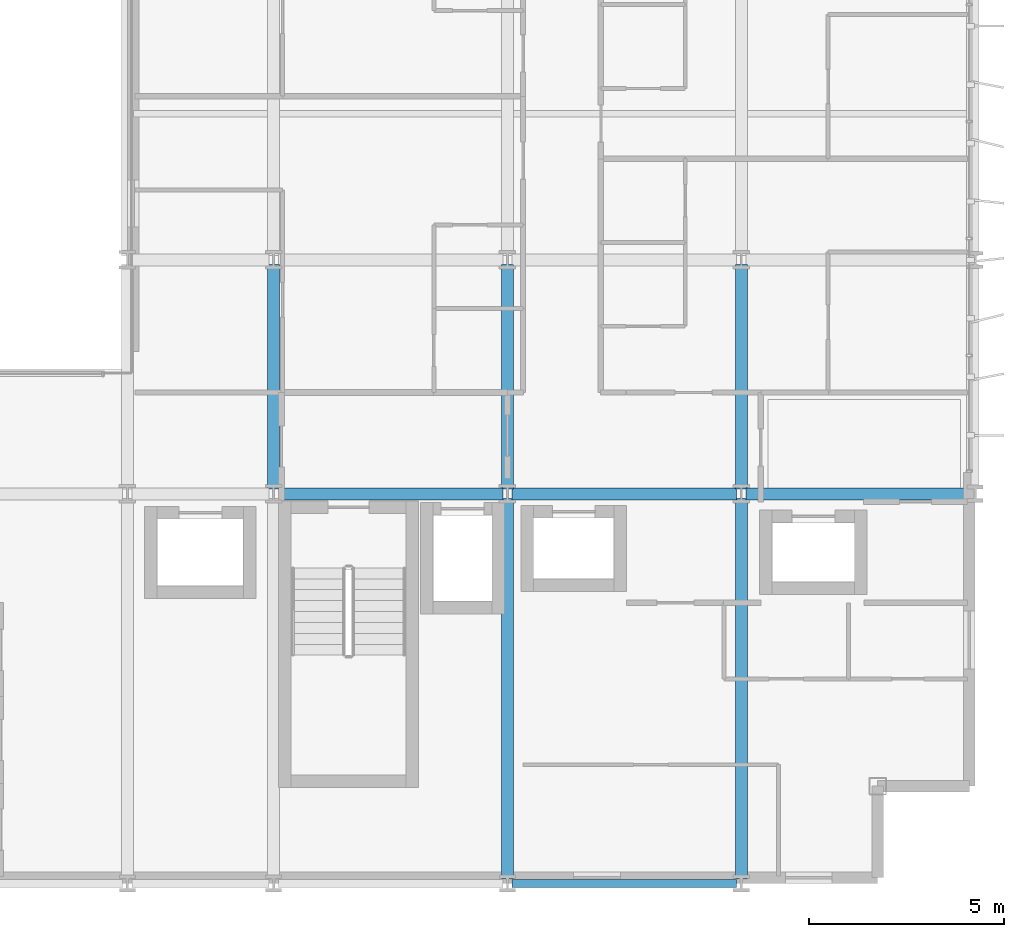
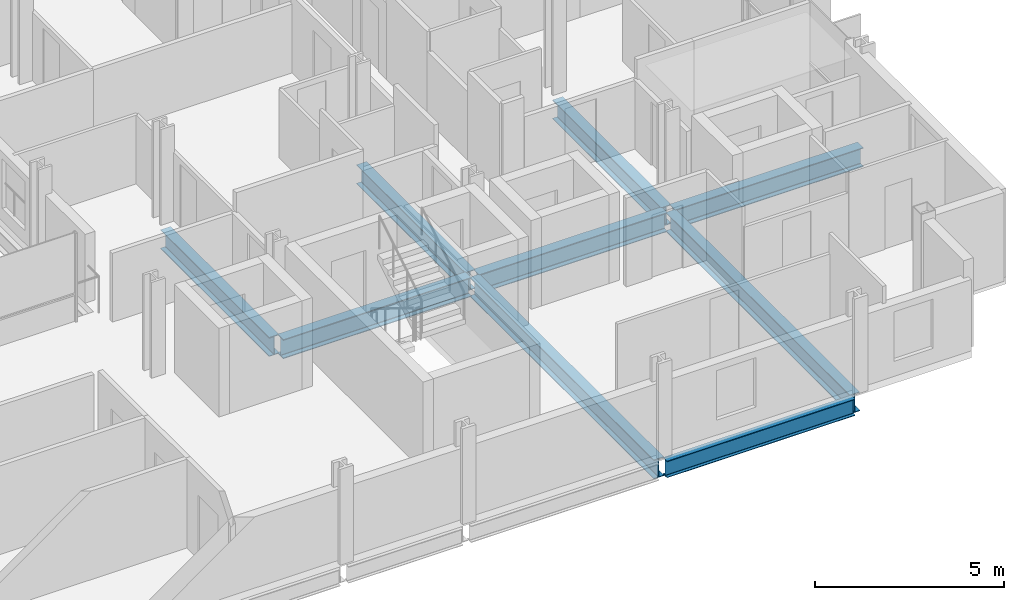
# One storey, part 14 of 39: 9 beams.
"""IFC4 building model written with IfcOpenShell, lengths in metres."""

import ifcopenshell
import ifcopenshell.guid

model = None  # the IFC model being written
_history = None  # IfcOwnerHistory: only IFC2X3 demands one
_inside = {}  # id of a spatial element -> (the spatial element, [elements in it])
_under = {}  # id of a project, library or spatial element -> (it, [spatial elements below it])
_declared = {}  # id of a project -> (the project, [libraries it declares])
_typed = {}  # id of a type object -> (the type object, [elements of that type])
_made_of = {}  # id of a material, layer set ... -> (it, [elements and type objects made of it])


def new_model(schema):
    """Start an empty IFC model of exactly this schema.

    Asked for "IFC4X3", IfcOpenShell would pick the latest addendum, in which some entities
    have other attributes; the version numbers below select the first issue.
    IFC2X3 requires an IfcOwnerHistory on every rooted entity: one is made here for all.
    """
    global model, _history
    if schema == "IFC4X3":
        model = ifcopenshell.file(schema_version=(4, 3, 0, 0))
    else:
        model = ifcopenshell.file(schema=schema)
    _inside.clear()
    _under.clear()
    _declared.clear()
    _typed.clear()
    _made_of.clear()
    _history = None
    if model.schema == "IFC2X3":
        org = make("IfcOrganization", Name="unknown")
        user = make(
            "IfcPersonAndOrganization",
            ThePerson=make("IfcPerson", FamilyName="unknown"),
            TheOrganization=org,
        )
        app = make(
            "IfcApplication",
            ApplicationDeveloper=org,
            Version="unknown",
            ApplicationFullName="unknown",
            ApplicationIdentifier="unknown",
        )
        _history = make(
            "IfcOwnerHistory",
            OwningUser=user,
            OwningApplication=app,
            ChangeAction="ADDED",
            CreationDate=0,
        )
    return model


def make(cls, **values):
    """One entity of the class cls with the attributes given. An attribute that is None is left unset."""
    return model.create_entity(
        cls, **{name: value for name, value in values.items() if value is not None}
    )


def rooted(cls, **values):
    """An entity with a GlobalId (a new one), such as an element, a storey or a relation."""
    return make(cls, GlobalId=ifcopenshell.guid.new(), OwnerHistory=_history, **values)


def si_unit(unit_type, name, prefix=None):
    """IfcSIUnit, for example si_unit("LENGTHUNIT", "METRE", prefix="MILLI")."""
    return make("IfcSIUnit", UnitType=unit_type, Prefix=prefix, Name=name)


def assignment(units):
    """IfcUnitAssignment: the units of a project."""
    return None if units is None else make("IfcUnitAssignment", Units=units)


def point(xyz):
    """IfcCartesianPoint."""
    return None if xyz is None else make("IfcCartesianPoint", Coordinates=xyz)


def direction(xyz):
    """IfcDirection."""
    return None if xyz is None else make("IfcDirection", DirectionRatios=xyz)


def frame(location, z_axis=None, x_axis=None):
    """IfcAxis2Placement3D, a coordinate frame: its origin and axes. An axis left out is left unset."""
    return make(
        "IfcAxis2Placement3D",
        Location=point(location),
        Axis=direction(z_axis),
        RefDirection=direction(x_axis),
    )


def frame_2d(location, x_axis=None):
    """IfcAxis2Placement2D, a coordinate frame in the plane: its origin and x axis."""
    return make(
        "IfcAxis2Placement2D", Location=point(location), RefDirection=direction(x_axis)
    )


def origin():
    """The frame at (0, 0, 0) with its axes left unset."""
    return frame((0.0, 0.0, 0.0))


def origin_2d():
    """The frame at (0, 0) in the plane with its x axis left unset."""
    return frame_2d((0.0, 0.0))


def place(relative_to, where):
    """IfcLocalPlacement: puts the frame where relative to a parent placement (None: the world)."""
    return make(
        "IfcLocalPlacement", PlacementRelTo=relative_to, RelativePlacement=where
    )


def context(
    kind, dimensions, precision=None, world=None, true_north=None, identifier=None
):
    """IfcGeometricRepresentationContext, for example the 3D "Model" context."""
    return make(
        "IfcGeometricRepresentationContext",
        ContextIdentifier=identifier,
        ContextType=kind,
        CoordinateSpaceDimension=dimensions,
        Precision=precision,
        WorldCoordinateSystem=world,
        TrueNorth=true_north,
    )


def subcontext(parent, identifier, kind, view, scale=None):
    """IfcGeometricRepresentationSubContext, for example "Body" below "Model"."""
    return make(
        "IfcGeometricRepresentationSubContext",
        ContextIdentifier=identifier,
        ContextType=kind,
        ParentContext=parent,
        TargetScale=scale,
        TargetView=view,
    )


def project(units=None, contexts=None):
    """IfcProject with its units and contexts."""
    return rooted(
        "IfcProject",
        Name="project",
        RepresentationContexts=contexts,
        UnitsInContext=assignment(units),
    )


def spatial(cls, under=None, at=None, **own):
    """A site, building, storey or space (cls), placed at a placement, below another one or the project."""
    s = rooted(cls, ObjectPlacement=at, **own)
    if under is not None:
        _under.setdefault(under.id(), (under, []))[1].append(s)
    return s


def profile(cls, at=None, kind="AREA", **sizes):
    """A parametric profile (cls). Its sizes go by their IFC names, for example OverallWidth=200.0."""
    return make(cls, ProfileType=kind, Position=at, **sizes)


def i_section(**sizes):
    """IfcIShapeProfileDef."""
    return profile("IfcIShapeProfileDef", **sizes)


def extrude(swept, where, along, depth):
    """IfcExtrudedAreaSolid: the profile swept, set in the frame where, extruded along a direction by depth."""
    return make(
        "IfcExtrudedAreaSolid",
        SweptArea=swept,
        Position=where,
        ExtrudedDirection=direction(along),
        Depth=depth,
    )


def shape(context_of_items, identifier, shape_type, items):
    """IfcShapeRepresentation: the items that make up one representation, for example the "Body"."""
    return make(
        "IfcShapeRepresentation",
        ContextOfItems=context_of_items,
        RepresentationIdentifier=identifier,
        RepresentationType=shape_type,
        Items=items,
    )


def material(Name=None, Category=None):
    """IfcMaterial."""
    return make("IfcMaterial", Name=Name, Category=Category)


def material_profile(
    of_material, cross_section, Name=None, Category=None, Priority=None
):
    """IfcMaterialProfile: a cross section and its material."""
    return make(
        "IfcMaterialProfile",
        Name=Name,
        Material=of_material,
        Profile=cross_section,
        Priority=Priority,
        Category=Category,
    )


def profile_set(profiles, Name=None, composite=None):
    """IfcMaterialProfileSet."""
    return make(
        "IfcMaterialProfileSet",
        Name=Name,
        MaterialProfiles=profiles,
        CompositeProfile=composite,
    )


def made_of(thing, what):
    """Note that an element or type object is made of a material, layer set ...; save() writes the relation."""
    if what is not None:
        _made_of.setdefault(what.id(), (what, []))[1].append(thing)
    return thing


def type_object(cls, material=None, **own):
    """A type object (cls), such as IfcWallType, which elements share."""
    return made_of(rooted(cls, **own), material)


def element(
    cls,
    number,
    at=None,
    inside=None,
    cuts=None,
    type_object=None,
    material=None,
    context=None,
    identifier="Body",
    shape_type=None,
    held_by="IfcProductDefinitionShape",
    body=None,
    shapes=None,
    **own,
):
    """One element of the class cls, such as IfcWall. Its Tag is "e" and its number.

    at: its placement. inside: the storey or other place that contains it. cuts: it is an
    opening in that element (IfcRelVoidsElement). A single representation is given by context,
    identifier, shape_type and body (its items); several are given by shapes. held_by: the class
    of the entity that holds the representations. save() writes the other relations.
    """
    e = rooted(cls, Tag="e%d" % number, ObjectPlacement=at, **own)
    if body is not None:
        shapes = [shape(context, identifier, shape_type, body)]
    if shapes is not None:
        e.Representation = make(held_by, Representations=shapes)
    if inside is not None:
        _inside.setdefault(inside.id(), (inside, []))[1].append(e)
    if cuts is not None:
        rooted(
            "IfcRelVoidsElement", RelatingBuildingElement=cuts, RelatedOpeningElement=e
        )
    if type_object is not None:
        _typed.setdefault(type_object.id(), (type_object, []))[1].append(e)
    return made_of(e, material)


def aggregate(whole, parts):
    """IfcRelAggregates: a whole, such as a stair, and the parts it consists of."""
    return rooted("IfcRelAggregates", RelatingObject=whole, RelatedObjects=parts)


def save(model, path):
    """Write the relations noted so far, then the file.

    IfcRelAggregates (storeys below a building ...), IfcRelContainedInSpatialStructure (elements
    in a storey), IfcRelDefinesByType, IfcRelAssociatesMaterial and IfcRelDeclares: one each for
    every whole, place, type object, material and project.
    """
    for whole, parts in _under.values():
        aggregate(whole, parts)
    for where, things in _inside.values():
        rooted(
            "IfcRelContainedInSpatialStructure",
            RelatedElements=things,
            RelatingStructure=where,
        )
    for kind, things in _typed.values():
        rooted("IfcRelDefinesByType", RelatedObjects=things, RelatingType=kind)
    for what, things in _made_of.values():
        rooted("IfcRelAssociatesMaterial", RelatedObjects=things, RelatingMaterial=what)
    for by, libraries in _declared.values():
        rooted("IfcRelDeclares", RelatingContext=by, RelatedDefinitions=libraries)
    model.write(path)


model = new_model("IFC4")

# Units and contexts
model_context = context("Model", 3, precision=1e-05, world=origin(), true_north=direction((0.0, 1.0)))
body_context = subcontext(model_context, "Body", "Model", "MODEL_VIEW")
ifc_project = project(units=[si_unit("LENGTHUNIT", "METRE"), si_unit("AREAUNIT", "SQUARE_METRE"), si_unit("VOLUMEUNIT", "CUBIC_METRE"), si_unit("PLANEANGLEUNIT", "RADIAN"), si_unit("MASSUNIT", "GRAM", prefix="KILO")], contexts=[model_context])

# Site, building, storey
site_placement = place(None, origin())
site = spatial("IfcSite", under=ifc_project, at=site_placement, CompositionType="ELEMENT")
building_placement = place(site_placement, origin())
building = spatial("IfcBuilding", under=site, at=building_placement, Name="Brevholm Reach", CompositionType="ELEMENT")
storey_placement = place(building_placement, frame((0.0, 0.0, 34.199951171875)))
storey = spatial("IfcBuildingStorey", under=building, at=storey_placement, Name="L08", CompositionType="ELEMENT", Elevation=34.199951171875)

# Beams
ifc_material_1 = material(Name="Structural Steel S355J2", Category="steel")
ifc_material_profile_1 = material_profile(ifc_material_1, i_section(OverallWidth=0.210693359375, OverallDepth=0.53955078125, WebThickness=0.01171875, FlangeThickness=0.018798828125, FilletRadius=0.0126953125, at=origin_2d()), Name="UKB 533x210x109")
ifc_profile_set_1 = profile_set([ifc_material_profile_1], Name="Structural Steel S355J2")
beam_type_1 = type_object("IfcBeamType", Name="BM-SP539", PredefinedType="SPANDREL", material=ifc_profile_set_1)
beam_1_placement = place(storey_placement, frame((48.1201171875, 0.0, -0.499755859375), z_axis=(1.0, 0.0, 0.0), x_axis=(0.0, 1.0, 0.0)))
element("IfcBeam", 1, at=beam_1_placement, inside=storey, type_object=beam_type_1, Name="L08 SP-01B Framing Beam", PredefinedType="SPANDREL", context=body_context, shape_type="SweptSolid", body=[
    extrude(i_section(OverallWidth=0.210693359375, OverallDepth=0.53955078125, WebThickness=0.01171875, FlangeThickness=0.018798828125, FilletRadius=0.0126953125, at=origin_2d()), origin(), (0.0, 0.0, 1.0), 5.759765625),
])
ifc_material_2 = material(Name="Structural Steel S355J2", Category="steel")
ifc_material_profile_2 = material_profile(ifc_material_2, i_section(OverallWidth=0.30712890625, OverallDepth=0.6201171875, WebThickness=0.01416015625, FlangeThickness=0.023681640625, FilletRadius=0.0166015625, at=origin_2d()), Name="UKB 610x305x179")
ifc_profile_set_2 = profile_set([ifc_material_profile_2], Name="Structural Steel S355J2")
beam_type_2 = type_object("IfcBeamType", Name="BM-UKB610H", PredefinedType="USERDEFINED", material=ifc_profile_set_2)
for number, where, z_axis, x_axis, name in (
    (2, (42.1201171875, 10.0, -0.5400390625), (1.0, 0.0, 0.0), (0.0, 1.0, 0.0), "L08 G-06 Framing Beam"),
    (3, (48.1201171875, 10.0, -0.5400390625), (1.0, 0.0, 0.0), (0.0, 1.0, 0.0), "L08 G-06 Framing Beam"),
    (4, (54.1201171875, 10.0, -0.5400390625), (1.0, 0.0, 0.0), (0.0, 1.0, 0.0), "L08 G-06 Framing Beam"),
    (5, (42.0, 10.1201171875, -0.5400390625), (0.0, 1.0, 0.0), (-1.0, 0.0, 0.0), "L08 G-06 Framing Beam"),
):
    element("IfcBeam", number, at=place(storey_placement, frame(where, z_axis=z_axis, x_axis=x_axis)), inside=storey, type_object=beam_type_2, Name=name, ObjectType="GIRDER", PredefinedType="USERDEFINED", context=body_context, shape_type="SweptSolid", body=[
        extrude(i_section(OverallWidth=0.30712890625, OverallDepth=0.6201171875, WebThickness=0.01416015625, FlangeThickness=0.023681640625, FilletRadius=0.0166015625, at=origin_2d()), origin(), (0.0, 0.0, 1.0), 5.759765625),
    ])
beam_2_placement = place(storey_placement, frame((48.0, 0.1201171875, -0.5400390625), z_axis=(0.0, 1.0, 0.0), x_axis=(-1.0, 0.0, 0.0)))
element("IfcBeam", 6, at=beam_2_placement, inside=storey, type_object=beam_type_2, Name="L08 G-06 Framing Beam", ObjectType="GIRDER", PredefinedType="USERDEFINED", context=body_context, shape_type="SweptSolid", body=[
    extrude(i_section(OverallWidth=0.30712890625, OverallDepth=0.6201171875, WebThickness=0.01416015625, FlangeThickness=0.023681640625, FilletRadius=0.0166015625, at=origin_2d()), origin(), (0.0, 0.0, 1.0), 9.759765625),
])
beam_3_placement = place(storey_placement, frame((48.0, 10.1201171875, -0.5400390625), z_axis=(0.0, 1.0, 0.0), x_axis=(-1.0, 0.0, 0.0)))
element("IfcBeam", 7, at=beam_3_placement, inside=storey, type_object=beam_type_2, Name="L08 G-06 Framing Beam", ObjectType="GIRDER", PredefinedType="USERDEFINED", context=body_context, shape_type="SweptSolid", body=[
    extrude(i_section(OverallWidth=0.30712890625, OverallDepth=0.6201171875, WebThickness=0.01416015625, FlangeThickness=0.023681640625, FilletRadius=0.0166015625, at=origin_2d()), origin(), (0.0, 0.0, 1.0), 5.759765625),
])
beam_4_placement = place(storey_placement, frame((54.0, 0.1201171875, -0.5400390625), z_axis=(0.0, 1.0, 0.0), x_axis=(-1.0, 0.0, 0.0)))
element("IfcBeam", 8, at=beam_4_placement, inside=storey, type_object=beam_type_2, Name="L08 G-06 Framing Beam", ObjectType="GIRDER", PredefinedType="USERDEFINED", context=body_context, shape_type="SweptSolid", body=[
    extrude(i_section(OverallWidth=0.30712890625, OverallDepth=0.6201171875, WebThickness=0.01416015625, FlangeThickness=0.023681640625, FilletRadius=0.0166015625, at=origin_2d()), origin(), (0.0, 0.0, 1.0), 9.759765625),
])
beam_5_placement = place(storey_placement, frame((54.0, 10.1201171875, -0.5400390625), z_axis=(0.0, 1.0, 0.0), x_axis=(-1.0, 0.0, 0.0)))
element("IfcBeam", 9, at=beam_5_placement, inside=storey, type_object=beam_type_2, Name="L08 G-06 Framing Beam", ObjectType="GIRDER", PredefinedType="USERDEFINED", context=body_context, shape_type="SweptSolid", body=[
    extrude(i_section(OverallWidth=0.30712890625, OverallDepth=0.6201171875, WebThickness=0.01416015625, FlangeThickness=0.023681640625, FilletRadius=0.0166015625, at=origin_2d()), origin(), (0.0, 0.0, 1.0), 5.759765625),
])

save(model, "model.ifc")
